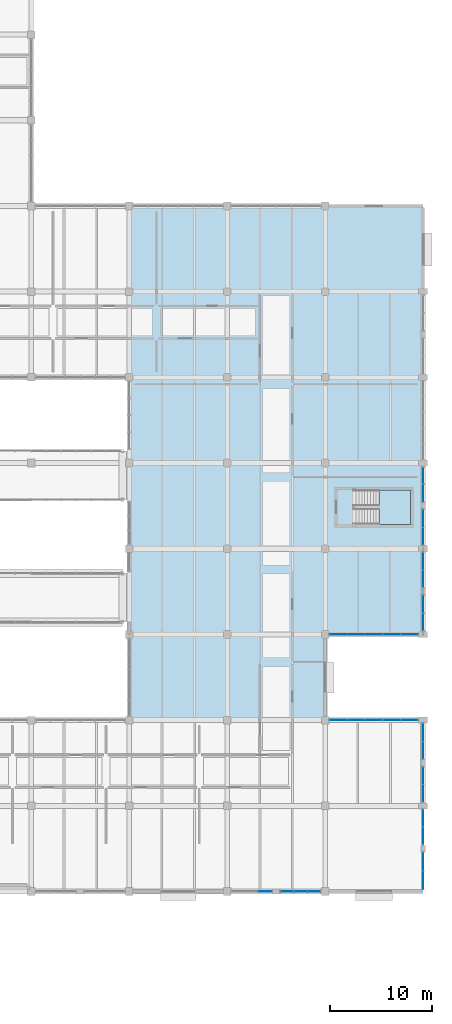
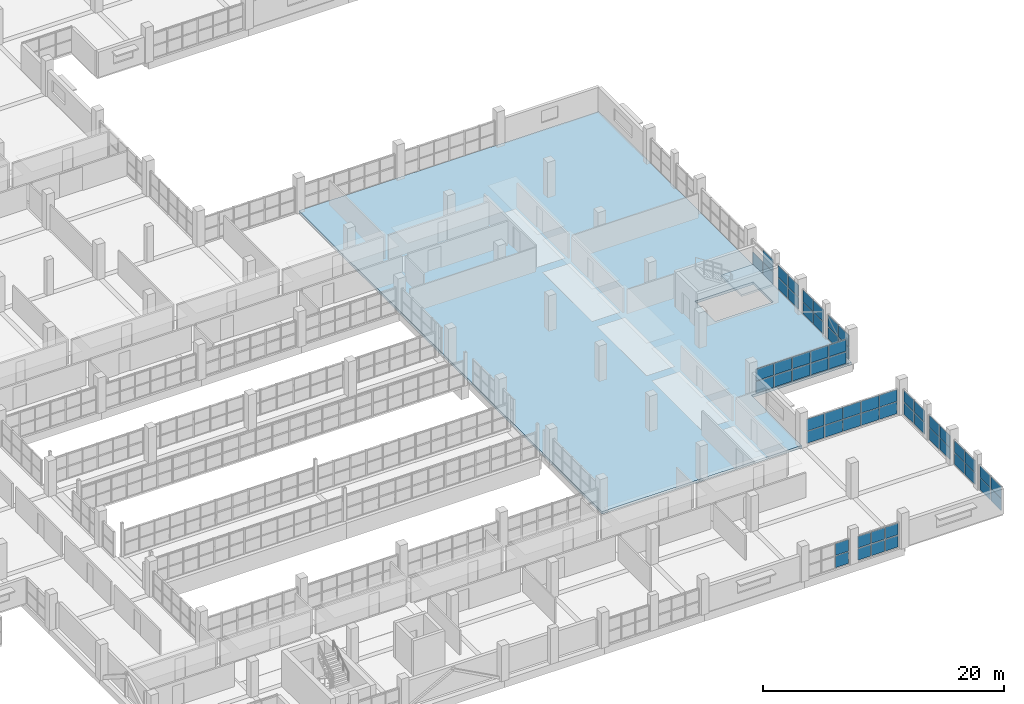
# One storey, part 104 of 147: 59 plates, 2 slabs, 13 elements without a shape of their own.
"""IFC4 building model written with IfcOpenShell, lengths in metres."""

from ifc_helpers import new_model, si_unit, direction, frame, origin, origin_2d, place, context, subcontext, project, spatial, polyline, rectangle, outline, extrude, material, layer, layer_set, type_object, element, aggregate, save


model = new_model("IFC4")

# Units and contexts
model_context = context("Model", 3, precision=1e-05, world=origin(), true_north=direction((0.0, 1.0)))
body_context = subcontext(model_context, "Body", "Model", "MODEL_VIEW")
ifc_project = project(units=[si_unit("LENGTHUNIT", "METRE"), si_unit("AREAUNIT", "SQUARE_METRE"), si_unit("VOLUMEUNIT", "CUBIC_METRE"), si_unit("PLANEANGLEUNIT", "RADIAN"), si_unit("MASSUNIT", "GRAM", prefix="KILO")], contexts=[model_context])

# Site, building, storey
site_placement = place(None, origin())
site = spatial("IfcSite", under=ifc_project, at=site_placement, CompositionType="ELEMENT")
building_placement = place(site_placement, origin())
building = spatial("IfcBuilding", under=site, at=building_placement, Name="Oolite Switchyard Hospital", CompositionType="ELEMENT")
storey_placement = place(building_placement, frame((0.0, 0.0, 9.89990234375)))
storey = spatial("IfcBuildingStorey", under=building, at=storey_placement, Name="L02", CompositionType="ELEMENT", Elevation=9.89990234375)

# Curtain wall, plates
ifc_material_1 = material(Name="Thermally broken aluminum frame with laminated impact glazing", Category="aluminium")
curtain_wall_type_1 = type_object("IfcCurtainWallType", Name="CW-UNIT-84X36", PredefinedType="USERDEFINED", material=ifc_material_1)
curtain_wall_1_placement = place(storey_placement, origin())
curtain_wall_1 = element("IfcCurtainWall", 1, at=curtain_wall_1_placement, inside=storey, type_object=curtain_wall_type_1, Name="L02 Unitised Curtain Wall 320", ObjectType="UNITISED", PredefinedType="USERDEFINED")
ifc_material_2 = material(Name="Insulated fluoropolymer-coated aluminum spandrel panel", Category="aluminium")
ifc_layer_1 = layer(ifc_material_2, 0.054931640625)
ifc_layer_set_1 = layer_set([ifc_layer_1], Name="CW-PNL-SPN55")
plate_type_1 = type_object("IfcPlateType", Name="CW-PNL-SPN55", PredefinedType="CURTAIN_PANEL", material=ifc_layer_set_1)
plate_1_placement = place(storey_placement, frame((211.199951171875, 40.78125, 0.06005859375), z_axis=(0.0, 0.0, 1.0), x_axis=(0.0, -1.0, 0.0)))
plate_1 = element("IfcPlate", 2, at=plate_1_placement, type_object=plate_type_1, Name="CW-08 panel 1.1", PredefinedType="CURTAIN_PANEL", context=body_context, shape_type="SweptSolid", body=[
    extrude(rectangle(XDim=1.66748046875, YDim=0.054931640625, at=origin_2d()), origin(), (0.0, 0.0, 1.0), 1.195068359375),
])
plate_2_placement = place(storey_placement, frame((211.199951171875, 40.78125, 1.31494140625), z_axis=(0.0, 0.0, 1.0), x_axis=(0.0, -1.0, 0.0)))
plate_2 = element("IfcPlate", 3, at=plate_2_placement, type_object=plate_type_1, Name="CW-08 panel 1.2", PredefinedType="CURTAIN_PANEL", context=body_context, shape_type="SweptSolid", body=[
    extrude(rectangle(XDim=1.66748046875, YDim=0.054931640625, at=origin_2d()), origin(), (0.0, 0.0, 1.0), 1.195068359375),
])
plate_3_placement = place(storey_placement, frame((211.199951171875, 39.043701171875, 0.06005859375), z_axis=(0.0, 0.0, 1.0), x_axis=(0.0, -1.0, 0.0)))
plate_3 = element("IfcPlate", 4, at=plate_3_placement, type_object=plate_type_1, Name="CW-08 panel 2.1", PredefinedType="CURTAIN_PANEL", context=body_context, shape_type="SweptSolid", body=[
    extrude(rectangle(XDim=1.66748046875, YDim=0.054931640625, at=origin_2d()), origin(), (0.0, 0.0, 1.0), 1.195068359375),
])
plate_4_placement = place(storey_placement, frame((211.199951171875, 39.043701171875, 1.31494140625), z_axis=(0.0, 0.0, 1.0), x_axis=(0.0, -1.0, 0.0)))
plate_4 = element("IfcPlate", 5, at=plate_4_placement, type_object=plate_type_1, Name="CW-08 panel 2.2", PredefinedType="CURTAIN_PANEL", context=body_context, shape_type="SweptSolid", body=[
    extrude(rectangle(XDim=1.66748046875, YDim=0.054931640625, at=origin_2d()), origin(), (0.0, 0.0, 1.0), 1.195068359375),
])
aggregate(curtain_wall_1, [plate_1, plate_2, plate_3, plate_4])

curtain_wall_2_placement = place(storey_placement, origin())
curtain_wall_2 = element("IfcCurtainWall", 6, at=curtain_wall_2_placement, inside=storey, type_object=curtain_wall_type_1, Name="L02 Unitised Curtain Wall 311", ObjectType="UNITISED", PredefinedType="USERDEFINED")
ifc_layer_2 = layer(ifc_material_2, 0.070068359375)
ifc_layer_set_2 = layer_set([ifc_layer_2], Name="CW-PNL-SPN70")
plate_type_2 = type_object("IfcPlateType", Name="CW-PNL-SPN70", PredefinedType="CURTAIN_PANEL", material=ifc_layer_set_2)
plate_5_placement = place(storey_placement, frame((211.199951171875, 15.581298828125, 0.0751953125), z_axis=(0.0, 0.0, 1.0), x_axis=(0.0, -1.0, 0.0)))
plate_5 = element("IfcPlate", 7, at=plate_5_placement, type_object=plate_type_2, Name="CW-08 panel 1.1", PredefinedType="CURTAIN_PANEL", context=body_context, shape_type="SweptSolid", body=[
    extrude(rectangle(XDim=1.66748046875, YDim=0.070068359375, at=origin_2d()), origin(), (0.0, 0.0, 1.0), 1.172607421875),
])
plate_6_placement = place(storey_placement, frame((211.199951171875, 15.581298828125, 1.32275390625), z_axis=(0.0, 0.0, 1.0), x_axis=(0.0, -1.0, 0.0)))
plate_6 = element("IfcPlate", 8, at=plate_6_placement, type_object=plate_type_2, Name="CW-08 panel 1.2", PredefinedType="CURTAIN_PANEL", context=body_context, shape_type="SweptSolid", body=[
    extrude(rectangle(XDim=1.66748046875, YDim=0.070068359375, at=origin_2d()), origin(), (0.0, 0.0, 1.0), 1.172607421875),
])
plate_7_placement = place(storey_placement, frame((211.199951171875, 13.84375, 0.0751953125), z_axis=(0.0, 0.0, 1.0), x_axis=(0.0, -1.0, 0.0)))
plate_7 = element("IfcPlate", 9, at=plate_7_placement, type_object=plate_type_2, Name="CW-08 panel 2.1", PredefinedType="CURTAIN_PANEL", context=body_context, shape_type="SweptSolid", body=[
    extrude(rectangle(XDim=1.66748046875, YDim=0.070068359375, at=origin_2d()), origin(), (0.0, 0.0, 1.0), 1.172607421875),
])
plate_8_placement = place(storey_placement, frame((211.199951171875, 13.84375, 1.32275390625), z_axis=(0.0, 0.0, 1.0), x_axis=(0.0, -1.0, 0.0)))
plate_8 = element("IfcPlate", 10, at=plate_8_placement, type_object=plate_type_2, Name="CW-08 panel 2.2", PredefinedType="CURTAIN_PANEL", context=body_context, shape_type="SweptSolid", body=[
    extrude(rectangle(XDim=1.66748046875, YDim=0.070068359375, at=origin_2d()), origin(), (0.0, 0.0, 1.0), 1.172607421875),
])
aggregate(curtain_wall_2, [plate_5, plate_6, plate_7, plate_8])

curtain_wall_3_placement = place(storey_placement, origin())
curtain_wall_3 = element("IfcCurtainWall", 11, at=curtain_wall_3_placement, inside=storey, type_object=curtain_wall_type_1, Name="L02 Unitised Curtain Wall 321", ObjectType="UNITISED", PredefinedType="USERDEFINED")
plate_9_placement = place(storey_placement, frame((211.199951171875, 36.554931640625, 0.0751953125), z_axis=(0.0, 0.0, 1.0), x_axis=(0.0, -1.0, 0.0)))
plate_9 = element("IfcPlate", 12, at=plate_9_placement, type_object=plate_type_2, Name="CW-08 panel 1.1", PredefinedType="CURTAIN_PANEL", context=body_context, shape_type="SweptSolid", body=[
    extrude(rectangle(XDim=1.659912109375, YDim=0.070068359375, at=origin_2d()), origin(), (0.0, 0.0, 1.0), 1.172607421875),
])
plate_10_placement = place(storey_placement, frame((211.199951171875, 36.554931640625, 1.32275390625), z_axis=(0.0, 0.0, 1.0), x_axis=(0.0, -1.0, 0.0)))
plate_10 = element("IfcPlate", 13, at=plate_10_placement, type_object=plate_type_2, Name="CW-08 panel 1.2", PredefinedType="CURTAIN_PANEL", context=body_context, shape_type="SweptSolid", body=[
    extrude(rectangle(XDim=1.659912109375, YDim=0.070068359375, at=origin_2d()), origin(), (0.0, 0.0, 1.0), 1.172607421875),
])
plate_11_placement = place(storey_placement, frame((211.199951171875, 34.820068359375, 0.0751953125), z_axis=(0.0, 0.0, 1.0), x_axis=(0.0, -1.0, 0.0)))
plate_11 = element("IfcPlate", 14, at=plate_11_placement, type_object=plate_type_2, Name="CW-08 panel 2.1", PredefinedType="CURTAIN_PANEL", context=body_context, shape_type="SweptSolid", body=[
    extrude(rectangle(XDim=1.659912109375, YDim=0.070068359375, at=origin_2d()), origin(), (0.0, 0.0, 1.0), 1.172607421875),
])
plate_12_placement = place(storey_placement, frame((211.199951171875, 34.820068359375, 1.32275390625), z_axis=(0.0, 0.0, 1.0), x_axis=(0.0, -1.0, 0.0)))
plate_12 = element("IfcPlate", 15, at=plate_12_placement, type_object=plate_type_2, Name="CW-08 panel 2.2", PredefinedType="CURTAIN_PANEL", context=body_context, shape_type="SweptSolid", body=[
    extrude(rectangle(XDim=1.659912109375, YDim=0.070068359375, at=origin_2d()), origin(), (0.0, 0.0, 1.0), 1.172607421875),
])
aggregate(curtain_wall_3, [plate_9, plate_10, plate_11, plate_12])

curtain_wall_type_2 = type_object("IfcCurtainWallType", Name="CW-UNIT-96X36", PredefinedType="USERDEFINED", material=ifc_material_1)
curtain_wall_4_placement = place(storey_placement, origin())
curtain_wall_4 = element("IfcCurtainWall", 16, at=curtain_wall_4_placement, inside=storey, type_object=curtain_wall_type_2, Name="L02 Unitised Curtain Wall 227", ObjectType="UNITISED", PredefinedType="USERDEFINED")
ifc_material_3 = material(Name="Laminated hurricane-impact insulated glazing unit", Category="glass")
ifc_layer_3 = layer(ifc_material_3, 0.028076171875)
ifc_layer_set_3 = layer_set([ifc_layer_3], Name="CW-PNL-VIS28")
plate_type_3 = type_object("IfcPlateType", Name="CW-PNL-VIS28", PredefinedType="CURTAIN_PANEL", material=ifc_layer_set_3)
plate_13_placement = place(storey_placement, frame((209.865478515625, 33.60009765625, 0.0751953125), z_axis=(0.0, 0.0, 1.0), x_axis=(-1.0, 0.0, 0.0)))
plate_13 = element("IfcPlate", 17, at=plate_13_placement, type_object=plate_type_3, Name="CW-03 panel 1.1", PredefinedType="CURTAIN_PANEL", context=body_context, shape_type="SweptSolid", body=[
    extrude(rectangle(XDim=1.64892578125, YDim=0.028076171875, at=origin_2d()), origin(), (0.0, 0.0, 1.0), 1.172607421875),
])
plate_14_placement = place(storey_placement, frame((209.865478515625, 33.60009765625, 1.32275390625), z_axis=(0.0, 0.0, 1.0), x_axis=(-1.0, 0.0, 0.0)))
plate_14 = element("IfcPlate", 18, at=plate_14_placement, type_object=plate_type_3, Name="CW-03 panel 1.2", PredefinedType="CURTAIN_PANEL", context=body_context, shape_type="SweptSolid", body=[
    extrude(rectangle(XDim=1.64892578125, YDim=0.028076171875, at=origin_2d()), origin(), (0.0, 0.0, 1.0), 1.172607421875),
])
plate_15_placement = place(storey_placement, frame((208.12890625, 33.60009765625, 0.0751953125), z_axis=(0.0, 0.0, 1.0), x_axis=(-1.0, 0.0, 0.0)))
plate_15 = element("IfcPlate", 19, at=plate_15_placement, type_object=plate_type_3, Name="CW-03 panel 2.1", PredefinedType="CURTAIN_PANEL", context=body_context, shape_type="SweptSolid", body=[
    extrude(rectangle(XDim=1.68408203125, YDim=0.028076171875, at=origin_2d()), origin(), (0.0, 0.0, 1.0), 1.172607421875),
])
plate_16_placement = place(storey_placement, frame((208.12890625, 33.60009765625, 1.32275390625), z_axis=(0.0, 0.0, 1.0), x_axis=(-1.0, 0.0, 0.0)))
plate_16 = element("IfcPlate", 20, at=plate_16_placement, type_object=plate_type_3, Name="CW-03 panel 2.2", PredefinedType="CURTAIN_PANEL", context=body_context, shape_type="SweptSolid", body=[
    extrude(rectangle(XDim=1.68408203125, YDim=0.028076171875, at=origin_2d()), origin(), (0.0, 0.0, 1.0), 1.172607421875),
])
plate_17_placement = place(storey_placement, frame((206.375, 33.60009765625, 0.0751953125), z_axis=(0.0, 0.0, 1.0), x_axis=(-1.0, 0.0, 0.0)))
plate_17 = element("IfcPlate", 21, at=plate_17_placement, type_object=plate_type_3, Name="CW-03 panel 3.1", PredefinedType="CURTAIN_PANEL", context=body_context, shape_type="SweptSolid", body=[
    extrude(rectangle(XDim=1.68408203125, YDim=0.028076171875, at=origin_2d()), origin(), (0.0, 0.0, 1.0), 1.172607421875),
])
plate_18_placement = place(storey_placement, frame((206.375, 33.60009765625, 1.32275390625), z_axis=(0.0, 0.0, 1.0), x_axis=(-1.0, 0.0, 0.0)))
plate_18 = element("IfcPlate", 22, at=plate_18_placement, type_object=plate_type_3, Name="CW-03 panel 3.2", PredefinedType="CURTAIN_PANEL", context=body_context, shape_type="SweptSolid", body=[
    extrude(rectangle(XDim=1.68408203125, YDim=0.028076171875, at=origin_2d()), origin(), (0.0, 0.0, 1.0), 1.172607421875),
])
plate_19_placement = place(storey_placement, frame((204.62109375, 33.60009765625, 0.0751953125), z_axis=(0.0, 0.0, 1.0), x_axis=(-1.0, 0.0, 0.0)))
plate_19 = element("IfcPlate", 23, at=plate_19_placement, type_object=plate_type_3, Name="CW-03 panel 4.1", PredefinedType="CURTAIN_PANEL", context=body_context, shape_type="SweptSolid", body=[
    extrude(rectangle(XDim=1.68408203125, YDim=0.028076171875, at=origin_2d()), origin(), (0.0, 0.0, 1.0), 1.172607421875),
])
plate_20_placement = place(storey_placement, frame((204.62109375, 33.60009765625, 1.32275390625), z_axis=(0.0, 0.0, 1.0), x_axis=(-1.0, 0.0, 0.0)))
plate_20 = element("IfcPlate", 24, at=plate_20_placement, type_object=plate_type_3, Name="CW-03 panel 4.2", PredefinedType="CURTAIN_PANEL", context=body_context, shape_type="SweptSolid", body=[
    extrude(rectangle(XDim=1.68408203125, YDim=0.028076171875, at=origin_2d()), origin(), (0.0, 0.0, 1.0), 1.172607421875),
])
plate_21_placement = place(storey_placement, frame((202.884521484375, 33.60009765625, 0.0751953125), z_axis=(0.0, 0.0, 1.0), x_axis=(-1.0, 0.0, 0.0)))
plate_21 = element("IfcPlate", 25, at=plate_21_placement, type_object=plate_type_3, Name="CW-03 panel 5.1", PredefinedType="CURTAIN_PANEL", context=body_context, shape_type="SweptSolid", body=[
    extrude(rectangle(XDim=1.64892578125, YDim=0.028076171875, at=origin_2d()), origin(), (0.0, 0.0, 1.0), 1.172607421875),
])
plate_22_placement = place(storey_placement, frame((202.884521484375, 33.60009765625, 1.32275390625), z_axis=(0.0, 0.0, 1.0), x_axis=(-1.0, 0.0, 0.0)))
plate_22 = element("IfcPlate", 26, at=plate_22_placement, type_object=plate_type_3, Name="CW-03 panel 5.2", PredefinedType="CURTAIN_PANEL", context=body_context, shape_type="SweptSolid", body=[
    extrude(rectangle(XDim=1.64892578125, YDim=0.028076171875, at=origin_2d()), origin(), (0.0, 0.0, 1.0), 1.172607421875),
])
aggregate(curtain_wall_4, [plate_13, plate_14, plate_15, plate_16, plate_17, plate_18, plate_19, plate_20, plate_21, plate_22])

curtain_wall_5_placement = place(storey_placement, origin())
curtain_wall_5 = element("IfcCurtainWall", 27, at=curtain_wall_5_placement, inside=storey, type_object=curtain_wall_type_1, Name="L02 Unitised Curtain Wall 312", ObjectType="UNITISED", PredefinedType="USERDEFINED")
plate_23_placement = place(storey_placement, frame((211.199951171875, 11.316162109375, 0.06005859375), z_axis=(0.0, 0.0, 1.0), x_axis=(0.0, -1.0, 0.0)))
plate_23 = element("IfcPlate", 28, at=plate_23_placement, type_object=plate_type_3, Name="CW-08 panel 1.1", PredefinedType="CURTAIN_PANEL", context=body_context, shape_type="SweptSolid", body=[
    extrude(rectangle(XDim=1.737548828125, YDim=0.028076171875, at=origin_2d()), origin(), (0.0, 0.0, 1.0), 1.195068359375),
])
plate_24_placement = place(storey_placement, frame((211.199951171875, 11.316162109375, 1.31494140625), z_axis=(0.0, 0.0, 1.0), x_axis=(0.0, -1.0, 0.0)))
plate_24 = element("IfcPlate", 29, at=plate_24_placement, type_object=plate_type_3, Name="CW-08 panel 1.2", PredefinedType="CURTAIN_PANEL", context=body_context, shape_type="SweptSolid", body=[
    extrude(rectangle(XDim=1.737548828125, YDim=0.028076171875, at=origin_2d()), origin(), (0.0, 0.0, 1.0), 1.195068359375),
])
plate_25_placement = place(storey_placement, frame((211.199951171875, 9.503662109375, 0.06005859375), z_axis=(0.0, 0.0, 1.0), x_axis=(0.0, -1.0, 0.0)))
plate_25 = element("IfcPlate", 30, at=plate_25_placement, type_object=plate_type_3, Name="CW-08 panel 2.1", PredefinedType="CURTAIN_PANEL", context=body_context, shape_type="SweptSolid", body=[
    extrude(rectangle(XDim=1.737548828125, YDim=0.028076171875, at=origin_2d()), origin(), (0.0, 0.0, 1.0), 1.195068359375),
])
plate_26_placement = place(storey_placement, frame((211.199951171875, 9.503662109375, 1.31494140625), z_axis=(0.0, 0.0, 1.0), x_axis=(0.0, -1.0, 0.0)))
plate_26 = element("IfcPlate", 31, at=plate_26_placement, type_object=plate_type_3, Name="CW-08 panel 2.2", PredefinedType="CURTAIN_PANEL", context=body_context, shape_type="SweptSolid", body=[
    extrude(rectangle(XDim=1.737548828125, YDim=0.028076171875, at=origin_2d()), origin(), (0.0, 0.0, 1.0), 1.195068359375),
])
aggregate(curtain_wall_5, [plate_23, plate_24, plate_25, plate_26])

curtain_wall_6_placement = place(storey_placement, origin())
curtain_wall_6 = element("IfcCurtainWall", 32, at=curtain_wall_6_placement, inside=storey, type_object=curtain_wall_type_1, Name="L02 Unitised Curtain Wall 213", ObjectType="UNITISED", PredefinedType="USERDEFINED")
ifc_layer_4 = layer(ifc_material_3, 0.031982421875)
ifc_layer_set_4 = layer_set([ifc_layer_4], Name="CW-PNL-VIS32")
plate_type_4 = type_object("IfcPlateType", Name="CW-PNL-VIS32", PredefinedType="CURTAIN_PANEL", material=ifc_layer_set_4)
plate_27_placement = place(storey_placement, frame((200.521240234375, 8.39990234375, 0.0751953125), z_axis=(0.0, 0.0, 1.0), x_axis=(-1.0, 0.0, 0.0)))
plate_27 = element("IfcPlate", 33, at=plate_27_placement, type_object=plate_type_4, Name="CW-08 panel 1.1", PredefinedType="CURTAIN_PANEL", context=body_context, shape_type="SweptSolid", body=[
    extrude(rectangle(XDim=1.2275390625, YDim=0.031982421875, at=origin_2d()), origin(), (0.0, 0.0, 1.0), 1.172607421875),
])
plate_28_placement = place(storey_placement, frame((200.521240234375, 8.39990234375, 1.32275390625), z_axis=(0.0, 0.0, 1.0), x_axis=(-1.0, 0.0, 0.0)))
plate_28 = element("IfcPlate", 34, at=plate_28_placement, type_object=plate_type_4, Name="CW-08 panel 1.2", PredefinedType="CURTAIN_PANEL", context=body_context, shape_type="SweptSolid", body=[
    extrude(rectangle(XDim=1.2275390625, YDim=0.031982421875, at=origin_2d()), origin(), (0.0, 0.0, 1.0), 1.172607421875),
])
plate_29_placement = place(storey_placement, frame((199.199951171875, 8.39990234375, 0.0751953125), z_axis=(0.0, 0.0, 1.0), x_axis=(-1.0, 0.0, 0.0)))
plate_29 = element("IfcPlate", 35, at=plate_29_placement, type_object=plate_type_4, Name="CW-08 panel 2.1", PredefinedType="CURTAIN_PANEL", context=body_context, shape_type="SweptSolid", body=[
    extrude(rectangle(XDim=1.264892578125, YDim=0.031982421875, at=origin_2d()), origin(), (0.0, 0.0, 1.0), 1.172607421875),
])
plate_30_placement = place(storey_placement, frame((199.199951171875, 8.39990234375, 1.32275390625), z_axis=(0.0, 0.0, 1.0), x_axis=(-1.0, 0.0, 0.0)))
plate_30 = element("IfcPlate", 36, at=plate_30_placement, type_object=plate_type_4, Name="CW-08 panel 2.2", PredefinedType="CURTAIN_PANEL", context=body_context, shape_type="SweptSolid", body=[
    extrude(rectangle(XDim=1.264892578125, YDim=0.031982421875, at=origin_2d()), origin(), (0.0, 0.0, 1.0), 1.172607421875),
])
plate_31_placement = place(storey_placement, frame((197.878662109375, 8.39990234375, 0.0751953125), z_axis=(0.0, 0.0, 1.0), x_axis=(-1.0, 0.0, 0.0)))
plate_31 = element("IfcPlate", 37, at=plate_31_placement, type_object=plate_type_4, Name="CW-08 panel 3.1", PredefinedType="CURTAIN_PANEL", context=body_context, shape_type="SweptSolid", body=[
    extrude(rectangle(XDim=1.2275390625, YDim=0.031982421875, at=origin_2d()), origin(), (0.0, 0.0, 1.0), 1.172607421875),
])
plate_32_placement = place(storey_placement, frame((197.878662109375, 8.39990234375, 1.32275390625), z_axis=(0.0, 0.0, 1.0), x_axis=(-1.0, 0.0, 0.0)))
plate_32 = element("IfcPlate", 38, at=plate_32_placement, type_object=plate_type_4, Name="CW-08 panel 3.2", PredefinedType="CURTAIN_PANEL", context=body_context, shape_type="SweptSolid", body=[
    extrude(rectangle(XDim=1.2275390625, YDim=0.031982421875, at=origin_2d()), origin(), (0.0, 0.0, 1.0), 1.172607421875),
])
aggregate(curtain_wall_6, [plate_27, plate_28, plate_29, plate_30, plate_31, plate_32])

curtain_wall_7_placement = place(storey_placement, origin())
curtain_wall_7 = element("IfcCurtainWall", 39, at=curtain_wall_7_placement, inside=storey, type_object=curtain_wall_type_1, Name="L02 Unitised Curtain Wall 214", ObjectType="UNITISED", PredefinedType="USERDEFINED")
ifc_layer_5 = layer(ifc_material_3, 0.035888671875)
ifc_layer_set_5 = layer_set([ifc_layer_5], Name="CW-PNL-VIS36")
plate_type_5 = type_object("IfcPlateType", Name="CW-PNL-VIS36", PredefinedType="CURTAIN_PANEL", material=ifc_layer_set_5)
plate_33_placement = place(storey_placement, frame((195.72509765625, 8.39990234375, 0.06005859375), z_axis=(0.0, 0.0, 1.0), x_axis=(-1.0, 0.0, 0.0)))
plate_33 = element("IfcPlate", 40, at=plate_33_placement, type_object=plate_type_5, Name="CW-08 panel 1.1", PredefinedType="CURTAIN_PANEL", context=body_context, shape_type="SweptSolid", body=[
    extrude(rectangle(XDim=1.25, YDim=0.035888671875, at=origin_2d()), origin(), (0.0, 0.0, 1.0), 1.195068359375),
])
plate_34_placement = place(storey_placement, frame((195.72509765625, 8.39990234375, 1.31494140625), z_axis=(0.0, 0.0, 1.0), x_axis=(-1.0, 0.0, 0.0)))
plate_34 = element("IfcPlate", 41, at=plate_34_placement, type_object=plate_type_5, Name="CW-08 panel 1.2", PredefinedType="CURTAIN_PANEL", context=body_context, shape_type="SweptSolid", body=[
    extrude(rectangle(XDim=1.25, YDim=0.035888671875, at=origin_2d()), origin(), (0.0, 0.0, 1.0), 1.195068359375),
])
aggregate(curtain_wall_7, [plate_33, plate_34])

curtain_wall_8_placement = place(storey_placement, origin())
curtain_wall_8 = element("IfcCurtainWall", 42, at=curtain_wall_8_placement, inside=storey, type_object=curtain_wall_type_2, Name="L02 Unitised Curtain Wall 220", ObjectType="UNITISED", PredefinedType="USERDEFINED")
plate_35_placement = place(storey_placement, frame((202.882080078125, 25.199951171875, 0.06005859375), z_axis=(0.0, 0.0, 1.0), x_axis=(1.0, 0.0, 0.0)))
plate_35 = element("IfcPlate", 43, at=plate_35_placement, type_object=plate_type_5, Name="CW-03 panel 1.1", PredefinedType="CURTAIN_PANEL", context=body_context, shape_type="SweptSolid", body=[
    extrude(rectangle(XDim=1.6640625, YDim=0.035888671875, at=origin_2d()), origin(), (0.0, 0.0, 1.0), 1.195068359375),
])
plate_36_placement = place(storey_placement, frame((202.882080078125, 25.199951171875, 1.31494140625), z_axis=(0.0, 0.0, 1.0), x_axis=(1.0, 0.0, 0.0)))
plate_36 = element("IfcPlate", 44, at=plate_36_placement, type_object=plate_type_5, Name="CW-03 panel 1.2", PredefinedType="CURTAIN_PANEL", context=body_context, shape_type="SweptSolid", body=[
    extrude(rectangle(XDim=1.6640625, YDim=0.035888671875, at=origin_2d()), origin(), (0.0, 0.0, 1.0), 1.195068359375),
])
plate_37_placement = place(storey_placement, frame((204.62109375, 25.199951171875, 0.06005859375), z_axis=(0.0, 0.0, 1.0), x_axis=(1.0, 0.0, 0.0)))
plate_37 = element("IfcPlate", 45, at=plate_37_placement, type_object=plate_type_5, Name="CW-03 panel 2.1", PredefinedType="CURTAIN_PANEL", context=body_context, shape_type="SweptSolid", body=[
    extrude(rectangle(XDim=1.694091796875, YDim=0.035888671875, at=origin_2d()), origin(), (0.0, 0.0, 1.0), 1.195068359375),
])
plate_38_placement = place(storey_placement, frame((204.62109375, 25.199951171875, 1.31494140625), z_axis=(0.0, 0.0, 1.0), x_axis=(1.0, 0.0, 0.0)))
plate_38 = element("IfcPlate", 46, at=plate_38_placement, type_object=plate_type_5, Name="CW-03 panel 2.2", PredefinedType="CURTAIN_PANEL", context=body_context, shape_type="SweptSolid", body=[
    extrude(rectangle(XDim=1.694091796875, YDim=0.035888671875, at=origin_2d()), origin(), (0.0, 0.0, 1.0), 1.195068359375),
])
plate_39_placement = place(storey_placement, frame((206.375, 25.199951171875, 0.06005859375), z_axis=(0.0, 0.0, 1.0), x_axis=(1.0, 0.0, 0.0)))
plate_39 = element("IfcPlate", 47, at=plate_39_placement, type_object=plate_type_5, Name="CW-03 panel 3.1", PredefinedType="CURTAIN_PANEL", context=body_context, shape_type="SweptSolid", body=[
    extrude(rectangle(XDim=1.694091796875, YDim=0.035888671875, at=origin_2d()), origin(), (0.0, 0.0, 1.0), 1.195068359375),
])
plate_40_placement = place(storey_placement, frame((206.375, 25.199951171875, 1.31494140625), z_axis=(0.0, 0.0, 1.0), x_axis=(1.0, 0.0, 0.0)))
plate_40 = element("IfcPlate", 48, at=plate_40_placement, type_object=plate_type_5, Name="CW-03 panel 3.2", PredefinedType="CURTAIN_PANEL", context=body_context, shape_type="SweptSolid", body=[
    extrude(rectangle(XDim=1.694091796875, YDim=0.035888671875, at=origin_2d()), origin(), (0.0, 0.0, 1.0), 1.195068359375),
])
plate_41_placement = place(storey_placement, frame((208.12890625, 25.199951171875, 0.06005859375), z_axis=(0.0, 0.0, 1.0), x_axis=(1.0, 0.0, 0.0)))
plate_41 = element("IfcPlate", 49, at=plate_41_placement, type_object=plate_type_5, Name="CW-03 panel 4.1", PredefinedType="CURTAIN_PANEL", context=body_context, shape_type="SweptSolid", body=[
    extrude(rectangle(XDim=1.694091796875, YDim=0.035888671875, at=origin_2d()), origin(), (0.0, 0.0, 1.0), 1.195068359375),
])
plate_42_placement = place(storey_placement, frame((208.12890625, 25.199951171875, 1.31494140625), z_axis=(0.0, 0.0, 1.0), x_axis=(1.0, 0.0, 0.0)))
plate_42 = element("IfcPlate", 50, at=plate_42_placement, type_object=plate_type_5, Name="CW-03 panel 4.2", PredefinedType="CURTAIN_PANEL", context=body_context, shape_type="SweptSolid", body=[
    extrude(rectangle(XDim=1.694091796875, YDim=0.035888671875, at=origin_2d()), origin(), (0.0, 0.0, 1.0), 1.195068359375),
])
plate_43_placement = place(storey_placement, frame((209.867919921875, 25.199951171875, 0.06005859375), z_axis=(0.0, 0.0, 1.0), x_axis=(1.0, 0.0, 0.0)))
plate_43 = element("IfcPlate", 51, at=plate_43_placement, type_object=plate_type_5, Name="CW-03 panel 5.1", PredefinedType="CURTAIN_PANEL", context=body_context, shape_type="SweptSolid", body=[
    extrude(rectangle(XDim=1.6640625, YDim=0.035888671875, at=origin_2d()), origin(), (0.0, 0.0, 1.0), 1.195068359375),
])
plate_44_placement = place(storey_placement, frame((209.867919921875, 25.199951171875, 1.31494140625), z_axis=(0.0, 0.0, 1.0), x_axis=(1.0, 0.0, 0.0)))
plate_44 = element("IfcPlate", 52, at=plate_44_placement, type_object=plate_type_5, Name="CW-03 panel 5.2", PredefinedType="CURTAIN_PANEL", context=body_context, shape_type="SweptSolid", body=[
    extrude(rectangle(XDim=1.6640625, YDim=0.035888671875, at=origin_2d()), origin(), (0.0, 0.0, 1.0), 1.195068359375),
])
aggregate(curtain_wall_8, [plate_35, plate_36, plate_37, plate_38, plate_39, plate_40, plate_41, plate_42, plate_43, plate_44])

curtain_wall_9_placement = place(storey_placement, origin())
curtain_wall_9 = element("IfcCurtainWall", 53, at=curtain_wall_9_placement, inside=storey, type_object=curtain_wall_type_1, Name="L02 Unitised Curtain Wall 313", ObjectType="UNITISED", PredefinedType="USERDEFINED")
plate_45_placement = place(storey_placement, frame((211.199951171875, 23.983642578125, 0.0751953125), z_axis=(0.0, 0.0, 1.0), x_axis=(0.0, -1.0, 0.0)))
plate_45 = element("IfcPlate", 54, at=plate_45_placement, type_object=plate_type_5, Name="CW-08 panel 1.1", PredefinedType="CURTAIN_PANEL", context=body_context, shape_type="SweptSolid", body=[
    extrude(rectangle(XDim=1.6826171875, YDim=0.035888671875, at=origin_2d()), origin(), (0.0, 0.0, 1.0), 1.172607421875),
])
plate_46_placement = place(storey_placement, frame((211.199951171875, 23.983642578125, 1.32275390625), z_axis=(0.0, 0.0, 1.0), x_axis=(0.0, -1.0, 0.0)))
plate_46 = element("IfcPlate", 55, at=plate_46_placement, type_object=plate_type_5, Name="CW-08 panel 1.2", PredefinedType="CURTAIN_PANEL", context=body_context, shape_type="SweptSolid", body=[
    extrude(rectangle(XDim=1.6826171875, YDim=0.035888671875, at=origin_2d()), origin(), (0.0, 0.0, 1.0), 1.172607421875),
])
plate_47_placement = place(storey_placement, frame((211.199951171875, 22.2412109375, 0.0751953125), z_axis=(0.0, 0.0, 1.0), x_axis=(0.0, -1.0, 0.0)))
plate_47 = element("IfcPlate", 56, at=plate_47_placement, type_object=plate_type_5, Name="CW-08 panel 2.1", PredefinedType="CURTAIN_PANEL", context=body_context, shape_type="SweptSolid", body=[
    extrude(rectangle(XDim=1.6826171875, YDim=0.035888671875, at=origin_2d()), origin(), (0.0, 0.0, 1.0), 1.172607421875),
])
plate_48_placement = place(storey_placement, frame((211.199951171875, 22.2412109375, 1.32275390625), z_axis=(0.0, 0.0, 1.0), x_axis=(0.0, -1.0, 0.0)))
plate_48 = element("IfcPlate", 57, at=plate_48_placement, type_object=plate_type_5, Name="CW-08 panel 2.2", PredefinedType="CURTAIN_PANEL", context=body_context, shape_type="SweptSolid", body=[
    extrude(rectangle(XDim=1.6826171875, YDim=0.035888671875, at=origin_2d()), origin(), (0.0, 0.0, 1.0), 1.172607421875),
])
aggregate(curtain_wall_9, [plate_45, plate_46, plate_47, plate_48])

curtain_wall_10_placement = place(storey_placement, origin())
curtain_wall_10 = element("IfcCurtainWall", 58, at=curtain_wall_10_placement, inside=storey, type_object=curtain_wall_type_1, Name="L02 Unitised Curtain Wall 318", ObjectType="UNITISED", PredefinedType="USERDEFINED")
plate_49_placement = place(storey_placement, frame((211.199951171875, 49.179931640625, 0.06005859375), z_axis=(0.0, 0.0, 1.0), x_axis=(0.0, -1.0, 0.0)))
plate_49 = element("IfcPlate", 59, at=plate_49_placement, type_object=plate_type_5, Name="CW-08 panel 1.1", PredefinedType="CURTAIN_PANEL", context=body_context, shape_type="SweptSolid", body=[
    extrude(rectangle(XDim=1.659912109375, YDim=0.035888671875, at=origin_2d()), origin(), (0.0, 0.0, 1.0), 1.195068359375),
])
plate_50_placement = place(storey_placement, frame((211.199951171875, 47.445068359375, 0.06005859375), z_axis=(0.0, 0.0, 1.0), x_axis=(0.0, -1.0, 0.0)))
plate_50 = element("IfcPlate", 60, at=plate_50_placement, type_object=plate_type_5, Name="CW-08 panel 2.1", PredefinedType="CURTAIN_PANEL", context=body_context, shape_type="SweptSolid", body=[
    extrude(rectangle(XDim=1.659912109375, YDim=0.035888671875, at=origin_2d()), origin(), (0.0, 0.0, 1.0), 1.195068359375),
])
plate_51_placement = place(storey_placement, frame((211.199951171875, 47.445068359375, 1.31494140625), z_axis=(0.0, 0.0, 1.0), x_axis=(0.0, -1.0, 0.0)))
plate_51 = element("IfcPlate", 61, at=plate_51_placement, type_object=plate_type_5, Name="CW-08 panel 2.2", PredefinedType="CURTAIN_PANEL", context=body_context, shape_type="SweptSolid", body=[
    extrude(rectangle(XDim=1.659912109375, YDim=0.035888671875, at=origin_2d()), origin(), (0.0, 0.0, 1.0), 1.195068359375),
])
aggregate(curtain_wall_10, [plate_49, plate_50, plate_51])

curtain_wall_11_placement = place(storey_placement, origin())
curtain_wall_11 = element("IfcCurtainWall", 62, at=curtain_wall_11_placement, inside=storey, type_object=curtain_wall_type_1, Name="L02 Unitised Curtain Wall 314", ObjectType="UNITISED", PredefinedType="USERDEFINED")
ifc_layer_6 = layer(ifc_material_3, 0.0419921875)
ifc_layer_set_6 = layer_set([ifc_layer_6], Name="CW-PNL-VIS42")
plate_type_6 = type_object("IfcPlateType", Name="CW-PNL-VIS42", PredefinedType="CURTAIN_PANEL", material=ifc_layer_set_6)
plate_52_placement = place(storey_placement, frame((211.199951171875, 19.75634765625, 0.06005859375), z_axis=(0.0, 0.0, 1.0), x_axis=(0.0, -1.0, 0.0)))
plate_52 = element("IfcPlate", 63, at=plate_52_placement, type_object=plate_type_6, Name="CW-08 panel 1.1", PredefinedType="CURTAIN_PANEL", context=body_context, shape_type="SweptSolid", body=[
    extrude(rectangle(XDim=1.66748046875, YDim=0.0419921875, at=origin_2d()), origin(), (0.0, 0.0, 1.0), 1.195068359375),
])
plate_53_placement = place(storey_placement, frame((211.199951171875, 19.75634765625, 1.31494140625), z_axis=(0.0, 0.0, 1.0), x_axis=(0.0, -1.0, 0.0)))
plate_53 = element("IfcPlate", 64, at=plate_53_placement, type_object=plate_type_6, Name="CW-08 panel 1.2", PredefinedType="CURTAIN_PANEL", context=body_context, shape_type="SweptSolid", body=[
    extrude(rectangle(XDim=1.66748046875, YDim=0.0419921875, at=origin_2d()), origin(), (0.0, 0.0, 1.0), 1.195068359375),
])
plate_54_placement = place(storey_placement, frame((211.199951171875, 18.018798828125, 0.06005859375), z_axis=(0.0, 0.0, 1.0), x_axis=(0.0, -1.0, 0.0)))
plate_54 = element("IfcPlate", 65, at=plate_54_placement, type_object=plate_type_6, Name="CW-08 panel 2.1", PredefinedType="CURTAIN_PANEL", context=body_context, shape_type="SweptSolid", body=[
    extrude(rectangle(XDim=1.66748046875, YDim=0.0419921875, at=origin_2d()), origin(), (0.0, 0.0, 1.0), 1.195068359375),
])
plate_55_placement = place(storey_placement, frame((211.199951171875, 18.018798828125, 1.31494140625), z_axis=(0.0, 0.0, 1.0), x_axis=(0.0, -1.0, 0.0)))
plate_55 = element("IfcPlate", 66, at=plate_55_placement, type_object=plate_type_6, Name="CW-08 panel 2.2", PredefinedType="CURTAIN_PANEL", context=body_context, shape_type="SweptSolid", body=[
    extrude(rectangle(XDim=1.66748046875, YDim=0.0419921875, at=origin_2d()), origin(), (0.0, 0.0, 1.0), 1.195068359375),
])
aggregate(curtain_wall_11, [plate_52, plate_53, plate_54, plate_55])

curtain_wall_12_placement = place(storey_placement, origin())
curtain_wall_12 = element("IfcCurtainWall", 67, at=curtain_wall_12_placement, inside=storey, type_object=curtain_wall_type_1, Name="L02 Unitised Curtain Wall 319", ObjectType="UNITISED", PredefinedType="USERDEFINED")
plate_56_placement = place(storey_placement, frame((211.199951171875, 44.958740234375, 0.0751953125), z_axis=(0.0, 0.0, 1.0), x_axis=(0.0, -1.0, 0.0)))
plate_56 = element("IfcPlate", 68, at=plate_56_placement, type_object=plate_type_6, Name="CW-08 panel 1.1", PredefinedType="CURTAIN_PANEL", context=body_context, shape_type="SweptSolid", body=[
    extrude(rectangle(XDim=1.6826171875, YDim=0.0419921875, at=origin_2d()), origin(), (0.0, 0.0, 1.0), 1.172607421875),
])
plate_57_placement = place(storey_placement, frame((211.199951171875, 44.958740234375, 1.32275390625), z_axis=(0.0, 0.0, 1.0), x_axis=(0.0, -1.0, 0.0)))
plate_57 = element("IfcPlate", 69, at=plate_57_placement, type_object=plate_type_6, Name="CW-08 panel 1.2", PredefinedType="CURTAIN_PANEL", context=body_context, shape_type="SweptSolid", body=[
    extrude(rectangle(XDim=1.6826171875, YDim=0.0419921875, at=origin_2d()), origin(), (0.0, 0.0, 1.0), 1.172607421875),
])
plate_58_placement = place(storey_placement, frame((211.199951171875, 43.21630859375, 0.0751953125), z_axis=(0.0, 0.0, 1.0), x_axis=(0.0, -1.0, 0.0)))
plate_58 = element("IfcPlate", 70, at=plate_58_placement, type_object=plate_type_6, Name="CW-08 panel 2.1", PredefinedType="CURTAIN_PANEL", context=body_context, shape_type="SweptSolid", body=[
    extrude(rectangle(XDim=1.6826171875, YDim=0.0419921875, at=origin_2d()), origin(), (0.0, 0.0, 1.0), 1.172607421875),
])
plate_59_placement = place(storey_placement, frame((211.199951171875, 43.21630859375, 1.32275390625), z_axis=(0.0, 0.0, 1.0), x_axis=(0.0, -1.0, 0.0)))
plate_59 = element("IfcPlate", 71, at=plate_59_placement, type_object=plate_type_6, Name="CW-08 panel 2.2", PredefinedType="CURTAIN_PANEL", context=body_context, shape_type="SweptSolid", body=[
    extrude(rectangle(XDim=1.6826171875, YDim=0.0419921875, at=origin_2d()), origin(), (0.0, 0.0, 1.0), 1.172607421875),
])
aggregate(curtain_wall_12, [plate_56, plate_57, plate_58, plate_59])

# Slab
ifc_material_4 = material(Name="Concrete C40/50", Category="concrete")
ifc_layer_7 = layer(ifc_material_4, 0.260009765625)
ifc_layer_set_7 = layer_set([ifc_layer_7], Name="SLB-INT-260")
slab_type_1 = type_object("IfcSlabType", Name="SLB-INT-260", PredefinedType="FLOOR", material=ifc_layer_set_7)
slab_1_placement = place(storey_placement, frame((0.0, 0.0, -0.260009765625)))
element("IfcSlab", 72, at=slab_1_placement, inside=storey, type_object=slab_type_1, Name="L02 V6 Slab V6E", PredefinedType="FLOOR", context=body_context, shape_type="SweptSolid", body=[
    extrude(outline(polyline([(182.39990234375, 25.199951171875), (201.60009765625, 25.199951171875), (201.60009765625, 33.60009765625), (211.199951171875, 33.60009765625), (211.199951171875, 75.60009765625), (182.39990234375, 75.60009765625), (182.39990234375, 25.199951171875)]), holes=[polyline([(204.360107421875, 44.39990234375), (209.949951171875, 44.39990234375), (209.949951171875, 47.760009765625), (204.360107421875, 47.760009765625), (204.360107421875, 44.39990234375)])]), origin(), (0.0, 0.0, 1.0), 0.260009765625),
])

# Stair, slab
stair_type = type_object("IfcStairType", Name="STR-DL-156-R20", PredefinedType="HALF_TURN_STAIR", material=ifc_material_4)
stair_placement = place(storey_placement, origin())
stair = element("IfcStair", 73, at=stair_placement, inside=storey, type_object=stair_type, Name="L02 Exit Stair ST-06", PredefinedType="HALF_TURN_STAIR")
ifc_layer_8 = layer(ifc_material_4, 0.199951171875)
ifc_layer_set_8 = layer_set([ifc_layer_8], Name="SLB-LND-200")
slab_type_2 = type_object("IfcSlabType", Name="SLB-LND-200", PredefinedType="LANDING", material=ifc_layer_set_8)
slab_2_placement = place(storey_placement, frame((0.0, 0.0, 1.60009765625)))
slab_2 = element("IfcSlab", 74, at=slab_2_placement, type_object=slab_type_2, Name="ST-06 landing 1", PredefinedType="LANDING", context=body_context, shape_type="SweptSolid", body=[
    extrude(outline(polyline([(206.8798828125, 44.39990234375), (209.949951171875, 44.39990234375), (209.949951171875, 47.760009765625), (206.8798828125, 47.760009765625), (206.8798828125, 44.39990234375)])), origin(), (0.0, 0.0, 1.0), 0.199951171875),
])
aggregate(stair, [slab_2])

save(model, "model.ifc")
